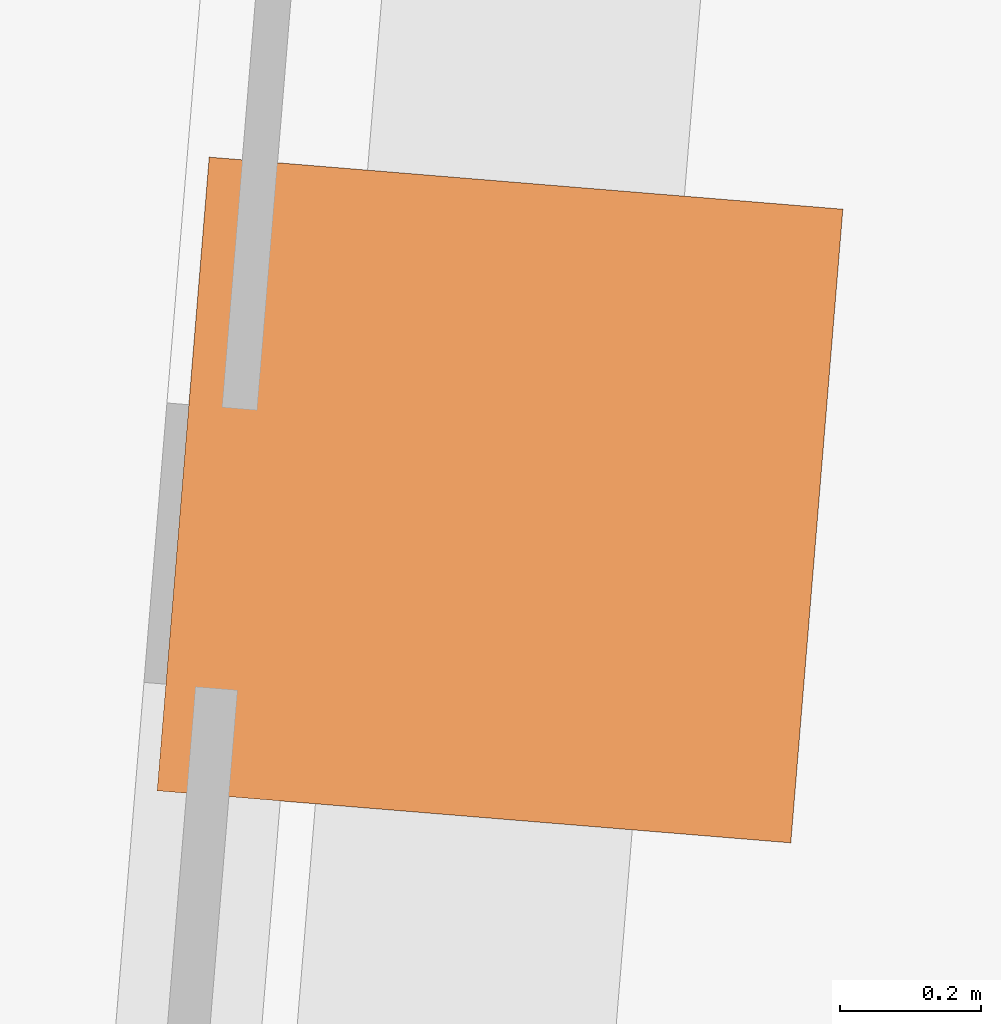
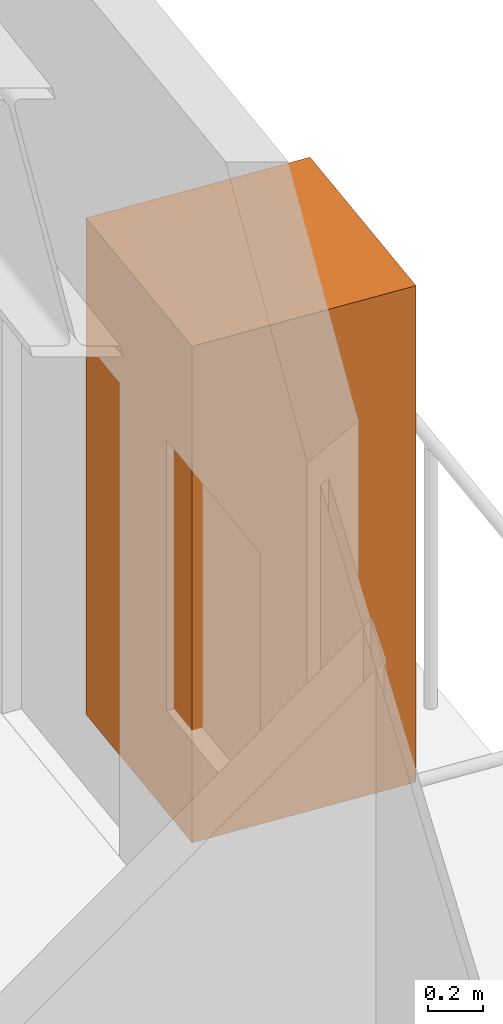
# One storey, part 9 of 9: 1 geographic element.
"""IFC4 building model written with IfcOpenShell, lengths in metres."""

from ifc_helpers import new_model, si_unit, direction, frame, origin, origin_2d, place, context, subcontext, project, spatial, rectangle, extrude, material, type_object, element, save


model = new_model("IFC4")

# Units and contexts
model_context = context("Model", 3, precision=1e-05, world=origin(), true_north=direction((0.0, 1.0)))
body_context = subcontext(model_context, "Body", "Model", "MODEL_VIEW")
ifc_project = project(units=[si_unit("LENGTHUNIT", "METRE"), si_unit("AREAUNIT", "SQUARE_METRE"), si_unit("VOLUMEUNIT", "CUBIC_METRE"), si_unit("PLANEANGLEUNIT", "RADIAN"), si_unit("MASSUNIT", "GRAM", prefix="KILO")], contexts=[model_context])

# Site, building, storey
site_placement = place(None, origin())
site = spatial("IfcSite", under=ifc_project, at=site_placement, CompositionType="ELEMENT")
building_placement = place(site_placement, origin())
building = spatial("IfcBuilding", under=site, at=building_placement, Name="Verdant Reach Tower", CompositionType="ELEMENT")
storey_placement = place(building_placement, frame((0.0, 0.0, 98.0)))
storey = spatial("IfcBuildingStorey", under=building, at=storey_placement, Name="L22", CompositionType="ELEMENT", Elevation=98.0)

# Geographic element
ifc_material = material(Name="Planting")
geographic_element_type = type_object("IfcGeographicElementType", Name="EN-TREE", PredefinedType="USERDEFINED", material=ifc_material)
geographic_element_placement = place(storey_placement, frame((24.1044921875, 42.398193359375, 0.39990234375), z_axis=(0.0, 0.0, 1.0), x_axis=(0.081915556724, 0.996639273542, 0.0)))
element("IfcGeographicElement", 1, at=geographic_element_placement, inside=storey, type_object=geographic_element_type, Name="Balcony tree, Guabiroba (Campomanesia xanthocarpa), L22 1", ObjectType="TREE", PredefinedType="USERDEFINED", context=body_context, shape_type="SweptSolid", body=[
    extrude(rectangle(XDim=0.89990234375, YDim=0.89990234375, at=origin_2d()), origin(), (0.0, 0.0, 1.0), 2.199951171875),
])

save(model, "model.ifc")
